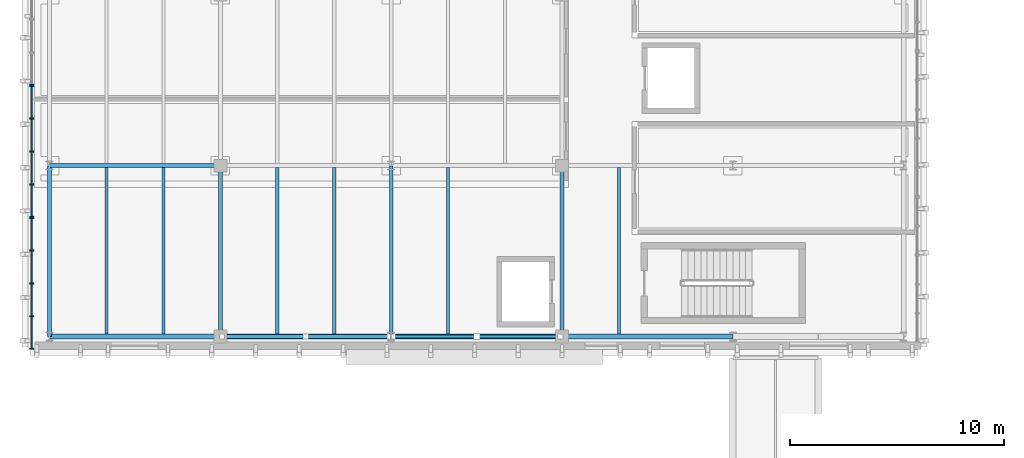
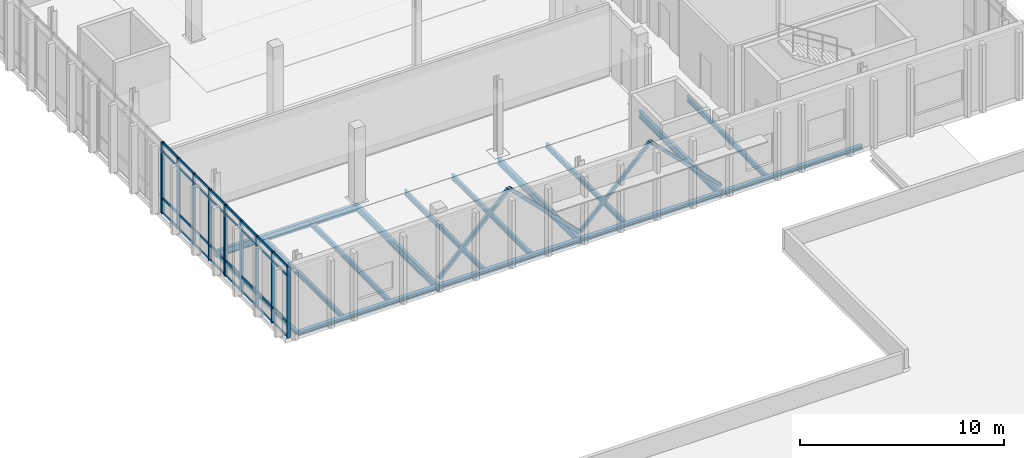
# One storey, part 16 of 86: 47 members, 15 beams, 3 elements without a shape of their own.
"""IFC4 building model written with IfcOpenShell, lengths in metres."""

from ifc_helpers import new_model, si_unit, direction, frame, origin, origin_2d, place, context, subcontext, project, spatial, rectangle, hollow_rectangle, i_section, extrude, material, material_profile, profile_set, type_object, element, aggregate, save


model = new_model("IFC4")

# Units and contexts
model_context = context("Model", 3, precision=1e-05, world=origin(), true_north=direction((0.0, 1.0)))
body_context = subcontext(model_context, "Body", "Model", "MODEL_VIEW")
ifc_project = project(units=[si_unit("LENGTHUNIT", "METRE"), si_unit("AREAUNIT", "SQUARE_METRE"), si_unit("VOLUMEUNIT", "CUBIC_METRE"), si_unit("PLANEANGLEUNIT", "RADIAN"), si_unit("MASSUNIT", "GRAM", prefix="KILO")], contexts=[model_context])

# Site, building, storey
site_placement = place(None, origin())
site = spatial("IfcSite", under=ifc_project, at=site_placement, CompositionType="ELEMENT")
building_placement = place(site_placement, origin())
building = spatial("IfcBuilding", under=site, at=building_placement, Name="Cymarion Research Institute", CompositionType="ELEMENT")
storey_placement = place(building_placement, frame((0.0, 0.0, 13.800048828125)))
storey = spatial("IfcBuildingStorey", under=building, at=storey_placement, Name="L03", CompositionType="ELEMENT", Elevation=13.800048828125)

# Curtain wall, member
ifc_material_1 = material(Name="Anodised aluminium unitised curtain wall with Low-E glazing", Category="aluminium")
curtain_wall_type = type_object("IfcCurtainWallType", Name="UNITISED CURTAIN WALL CW22 6180X4250", PredefinedType="NOTDEFINED", material=ifc_material_1)
curtain_wall_1_placement = place(storey_placement, origin())
curtain_wall_1 = element("IfcCurtainWall", 1, at=curtain_wall_1_placement, inside=storey, type_object=curtain_wall_type, Name="L03 V4 unitised curtain wall CW22 #159", PredefinedType="NOTDEFINED")
ifc_material_2 = material(Name="Anodised aluminium framing", Category="aluminium")
ifc_material_profile_1 = material_profile(ifc_material_2, rectangle(XDim=0.06005859375, YDim=0.179931640625, at=origin_2d()), Name="ALU MULLION 60x180")
ifc_profile_set_1 = profile_set([ifc_material_profile_1], Name="Anodised aluminium framing")
member_type_1 = type_object("IfcMemberType", Name="CURTAIN WALL MULLION ML01 60X180", PredefinedType="MULLION", material=ifc_profile_set_1)
member_1_placement = place(storey_placement, frame((5.77001953125, 59.28125, 0.0), z_axis=(0.0, 0.0, 1.0), x_axis=(0.0, -1.0, 0.0)))
member_1 = element("IfcMember", 2, at=member_1_placement, type_object=member_type_1, Name="CW22 mullion 5", PredefinedType="MULLION", context=body_context, shape_type="SweptSolid", body=[
    extrude(rectangle(XDim=0.06005859375, YDim=0.179931640625, at=origin_2d()), origin(), (0.0, 0.0, 1.0), 4.25),
])
aggregate(curtain_wall_1, [member_1])

# Curtain wall, members
curtain_wall_2_placement = place(storey_placement, origin())
curtain_wall_2 = element("IfcCurtainWall", 3, at=curtain_wall_2_placement, inside=storey, type_object=curtain_wall_type, Name="L03 V4 unitised curtain wall CW22 #160", PredefinedType="NOTDEFINED")
member_2_placement = place(storey_placement, frame((5.77001953125, 59.22119140625, 0.0), z_axis=(0.0, 0.0, 1.0), x_axis=(0.0, -1.0, 0.0)))
member_2 = element("IfcMember", 4, at=member_2_placement, type_object=member_type_1, Name="CW22 mullion 1", PredefinedType="MULLION", context=body_context, shape_type="SweptSolid", body=[
    extrude(rectangle(XDim=0.06005859375, YDim=0.179931640625, at=origin_2d()), origin(), (0.0, 0.0, 1.0), 4.25),
])
member_3_placement = place(storey_placement, frame((5.77001953125, 57.707275390625, 0.0), z_axis=(0.0, 0.0, 1.0), x_axis=(0.0, -1.0, 0.0)))
member_3 = element("IfcMember", 5, at=member_3_placement, type_object=member_type_1, Name="CW22 mullion 2", PredefinedType="MULLION", context=body_context, shape_type="SweptSolid", body=[
    extrude(rectangle(XDim=0.06005859375, YDim=0.179931640625, at=origin_2d()), origin(), (0.0, 0.0, 1.0), 4.25),
])
member_4_placement = place(storey_placement, frame((5.77001953125, 56.163330078125, 0.0), z_axis=(0.0, 0.0, 1.0), x_axis=(0.0, -1.0, 0.0)))
member_4 = element("IfcMember", 6, at=member_4_placement, type_object=member_type_1, Name="CW22 mullion 3", PredefinedType="MULLION", context=body_context, shape_type="SweptSolid", body=[
    extrude(rectangle(XDim=0.06005859375, YDim=0.179931640625, at=origin_2d()), origin(), (0.0, 0.0, 1.0), 4.25),
])
member_5_placement = place(storey_placement, frame((5.77001953125, 54.619384765625, 0.0), z_axis=(0.0, 0.0, 1.0), x_axis=(0.0, -1.0, 0.0)))
member_5 = element("IfcMember", 7, at=member_5_placement, type_object=member_type_1, Name="CW22 mullion 4", PredefinedType="MULLION", context=body_context, shape_type="SweptSolid", body=[
    extrude(rectangle(XDim=0.06005859375, YDim=0.179931640625, at=origin_2d()), origin(), (0.0, 0.0, 1.0), 4.25),
])
member_6_placement = place(storey_placement, frame((5.77001953125, 53.105712890625, 0.0), z_axis=(0.0, 0.0, 1.0), x_axis=(0.0, -1.0, 0.0)))
member_6 = element("IfcMember", 8, at=member_6_placement, type_object=member_type_1, Name="CW22 mullion 5", PredefinedType="MULLION", context=body_context, shape_type="SweptSolid", body=[
    extrude(rectangle(XDim=0.06005859375, YDim=0.179931640625, at=origin_2d()), origin(), (0.0, 0.0, 1.0), 4.25),
])

curtain_wall_3_placement = place(storey_placement, origin())
curtain_wall_3 = element("IfcCurtainWall", 9, at=curtain_wall_3_placement, inside=storey, type_object=curtain_wall_type, Name="L03 V4 unitised curtain wall CW22 #161", PredefinedType="NOTDEFINED")
member_7_placement = place(storey_placement, frame((5.77001953125, 53.045654296875, 0.0), z_axis=(0.0, 0.0, 1.0), x_axis=(0.0, -1.0, 0.0)))
member_7 = element("IfcMember", 10, at=member_7_placement, type_object=member_type_1, Name="CW22 mullion 1", PredefinedType="MULLION", context=body_context, shape_type="SweptSolid", body=[
    extrude(rectangle(XDim=0.06005859375, YDim=0.179931640625, at=origin_2d()), origin(), (0.0, 0.0, 1.0), 4.25),
])
member_8_placement = place(storey_placement, frame((5.77001953125, 51.53173828125, 0.0), z_axis=(0.0, 0.0, 1.0), x_axis=(0.0, -1.0, 0.0)))
member_8 = element("IfcMember", 11, at=member_8_placement, type_object=member_type_1, Name="CW22 mullion 2", PredefinedType="MULLION", context=body_context, shape_type="SweptSolid", body=[
    extrude(rectangle(XDim=0.06005859375, YDim=0.179931640625, at=origin_2d()), origin(), (0.0, 0.0, 1.0), 4.25),
])
member_9_placement = place(storey_placement, frame((5.77001953125, 49.98779296875, 0.0), z_axis=(0.0, 0.0, 1.0), x_axis=(0.0, -1.0, 0.0)))
member_9 = element("IfcMember", 12, at=member_9_placement, type_object=member_type_1, Name="CW22 mullion 3", PredefinedType="MULLION", context=body_context, shape_type="SweptSolid", body=[
    extrude(rectangle(XDim=0.06005859375, YDim=0.179931640625, at=origin_2d()), origin(), (0.0, 0.0, 1.0), 4.25),
])
member_10_placement = place(storey_placement, frame((5.77001953125, 48.44384765625, 0.0), z_axis=(0.0, 0.0, 1.0), x_axis=(0.0, -1.0, 0.0)))
member_10 = element("IfcMember", 13, at=member_10_placement, type_object=member_type_1, Name="CW22 mullion 4", PredefinedType="MULLION", context=body_context, shape_type="SweptSolid", body=[
    extrude(rectangle(XDim=0.06005859375, YDim=0.179931640625, at=origin_2d()), origin(), (0.0, 0.0, 1.0), 4.25),
])
member_11_placement = place(storey_placement, frame((5.77001953125, 46.929931640625, 0.0), z_axis=(0.0, 0.0, 1.0), x_axis=(0.0, -1.0, 0.0)))
member_11 = element("IfcMember", 14, at=member_11_placement, type_object=member_type_1, Name="CW22 mullion 5", PredefinedType="MULLION", context=body_context, shape_type="SweptSolid", body=[
    extrude(rectangle(XDim=0.06005859375, YDim=0.179931640625, at=origin_2d()), origin(), (0.0, 0.0, 1.0), 4.25),
])

# Member
ifc_material_profile_2 = material_profile(ifc_material_2, rectangle(XDim=0.06005859375, YDim=0.14990234375, at=origin_2d()), Name="ALU TRANSOM 60x150")
ifc_profile_set_2 = profile_set([ifc_material_profile_2], Name="Anodised aluminium framing")
member_type_2 = type_object("IfcMemberType", Name="CURTAIN WALL TRANSOM TR01 60X150", PredefinedType="USERDEFINED", material=ifc_profile_set_2)
member_12_placement = place(storey_placement, frame((5.77001953125, 59.191162109375, 0.030029296875), z_axis=(0.0, -1.0, 0.0), x_axis=(1.0, 0.0, 0.0)))
member_12 = element("IfcMember", 15, at=member_12_placement, type_object=member_type_2, Name="CW22 transom 1.1", ObjectType="TRANSOM", PredefinedType="USERDEFINED", context=body_context, shape_type="SweptSolid", body=[
    extrude(rectangle(XDim=0.06005859375, YDim=0.14990234375, at=origin_2d()), origin(), (0.0, 0.0, 1.0), 1.453857421875),
])

member_13_placement = place(storey_placement, frame((5.77001953125, 59.191162109375, 0.89990234375), z_axis=(0.0, -1.0, 0.0), x_axis=(1.0, 0.0, 0.0)))
member_13 = element("IfcMember", 16, at=member_13_placement, type_object=member_type_2, Name="CW22 transom 1.2", ObjectType="TRANSOM", PredefinedType="USERDEFINED", context=body_context, shape_type="SweptSolid", body=[
    extrude(rectangle(XDim=0.06005859375, YDim=0.14990234375, at=origin_2d()), origin(), (0.0, 0.0, 1.0), 1.453857421875),
])

member_14_placement = place(storey_placement, frame((5.77001953125, 59.191162109375, 3.699951171875), z_axis=(0.0, -1.0, 0.0), x_axis=(1.0, 0.0, 0.0)))
member_14 = element("IfcMember", 17, at=member_14_placement, type_object=member_type_2, Name="CW22 transom 1.3", ObjectType="TRANSOM", PredefinedType="USERDEFINED", context=body_context, shape_type="SweptSolid", body=[
    extrude(rectangle(XDim=0.06005859375, YDim=0.14990234375, at=origin_2d()), origin(), (0.0, 0.0, 1.0), 1.453857421875),
])

member_15_placement = place(storey_placement, frame((5.77001953125, 59.191162109375, 4.219970703125), z_axis=(0.0, -1.0, 0.0), x_axis=(1.0, 0.0, 0.0)))
member_15 = element("IfcMember", 18, at=member_15_placement, type_object=member_type_2, Name="CW22 transom 1.4", ObjectType="TRANSOM", PredefinedType="USERDEFINED", context=body_context, shape_type="SweptSolid", body=[
    extrude(rectangle(XDim=0.06005859375, YDim=0.14990234375, at=origin_2d()), origin(), (0.0, 0.0, 1.0), 1.453857421875),
])

member_16_placement = place(storey_placement, frame((5.77001953125, 57.67724609375, 0.030029296875), z_axis=(0.0, -1.0, 0.0), x_axis=(1.0, 0.0, 0.0)))
member_16 = element("IfcMember", 19, at=member_16_placement, type_object=member_type_2, Name="CW22 transom 2.1", ObjectType="TRANSOM", PredefinedType="USERDEFINED", context=body_context, shape_type="SweptSolid", body=[
    extrude(rectangle(XDim=0.06005859375, YDim=0.14990234375, at=origin_2d()), origin(), (0.0, 0.0, 1.0), 1.48388671875),
])

member_17_placement = place(storey_placement, frame((5.77001953125, 57.67724609375, 0.89990234375), z_axis=(0.0, -1.0, 0.0), x_axis=(1.0, 0.0, 0.0)))
member_17 = element("IfcMember", 20, at=member_17_placement, type_object=member_type_2, Name="CW22 transom 2.2", ObjectType="TRANSOM", PredefinedType="USERDEFINED", context=body_context, shape_type="SweptSolid", body=[
    extrude(rectangle(XDim=0.06005859375, YDim=0.14990234375, at=origin_2d()), origin(), (0.0, 0.0, 1.0), 1.48388671875),
])

member_18_placement = place(storey_placement, frame((5.77001953125, 57.67724609375, 3.699951171875), z_axis=(0.0, -1.0, 0.0), x_axis=(1.0, 0.0, 0.0)))
member_18 = element("IfcMember", 21, at=member_18_placement, type_object=member_type_2, Name="CW22 transom 2.3", ObjectType="TRANSOM", PredefinedType="USERDEFINED", context=body_context, shape_type="SweptSolid", body=[
    extrude(rectangle(XDim=0.06005859375, YDim=0.14990234375, at=origin_2d()), origin(), (0.0, 0.0, 1.0), 1.48388671875),
])

member_19_placement = place(storey_placement, frame((5.77001953125, 57.67724609375, 4.219970703125), z_axis=(0.0, -1.0, 0.0), x_axis=(1.0, 0.0, 0.0)))
member_19 = element("IfcMember", 22, at=member_19_placement, type_object=member_type_2, Name="CW22 transom 2.4", ObjectType="TRANSOM", PredefinedType="USERDEFINED", context=body_context, shape_type="SweptSolid", body=[
    extrude(rectangle(XDim=0.06005859375, YDim=0.14990234375, at=origin_2d()), origin(), (0.0, 0.0, 1.0), 1.48388671875),
])

member_20_placement = place(storey_placement, frame((5.77001953125, 56.13330078125, 0.030029296875), z_axis=(0.0, -1.0, 0.0), x_axis=(1.0, 0.0, 0.0)))
member_20 = element("IfcMember", 23, at=member_20_placement, type_object=member_type_2, Name="CW22 transom 3.1", ObjectType="TRANSOM", PredefinedType="USERDEFINED", context=body_context, shape_type="SweptSolid", body=[
    extrude(rectangle(XDim=0.06005859375, YDim=0.14990234375, at=origin_2d()), origin(), (0.0, 0.0, 1.0), 1.48388671875),
])

member_21_placement = place(storey_placement, frame((5.77001953125, 56.13330078125, 0.89990234375), z_axis=(0.0, -1.0, 0.0), x_axis=(1.0, 0.0, 0.0)))
member_21 = element("IfcMember", 24, at=member_21_placement, type_object=member_type_2, Name="CW22 transom 3.2", ObjectType="TRANSOM", PredefinedType="USERDEFINED", context=body_context, shape_type="SweptSolid", body=[
    extrude(rectangle(XDim=0.06005859375, YDim=0.14990234375, at=origin_2d()), origin(), (0.0, 0.0, 1.0), 1.48388671875),
])

member_22_placement = place(storey_placement, frame((5.77001953125, 56.13330078125, 3.699951171875), z_axis=(0.0, -1.0, 0.0), x_axis=(1.0, 0.0, 0.0)))
member_22 = element("IfcMember", 25, at=member_22_placement, type_object=member_type_2, Name="CW22 transom 3.3", ObjectType="TRANSOM", PredefinedType="USERDEFINED", context=body_context, shape_type="SweptSolid", body=[
    extrude(rectangle(XDim=0.06005859375, YDim=0.14990234375, at=origin_2d()), origin(), (0.0, 0.0, 1.0), 1.48388671875),
])

member_23_placement = place(storey_placement, frame((5.77001953125, 56.13330078125, 4.219970703125), z_axis=(0.0, -1.0, 0.0), x_axis=(1.0, 0.0, 0.0)))
member_23 = element("IfcMember", 26, at=member_23_placement, type_object=member_type_2, Name="CW22 transom 3.4", ObjectType="TRANSOM", PredefinedType="USERDEFINED", context=body_context, shape_type="SweptSolid", body=[
    extrude(rectangle(XDim=0.06005859375, YDim=0.14990234375, at=origin_2d()), origin(), (0.0, 0.0, 1.0), 1.48388671875),
])

member_24_placement = place(storey_placement, frame((5.77001953125, 54.589599609375, 0.030029296875), z_axis=(0.0, -1.0, 0.0), x_axis=(1.0, 0.0, 0.0)))
member_24 = element("IfcMember", 27, at=member_24_placement, type_object=member_type_2, Name="CW22 transom 4.1", ObjectType="TRANSOM", PredefinedType="USERDEFINED", context=body_context, shape_type="SweptSolid", body=[
    extrude(rectangle(XDim=0.06005859375, YDim=0.14990234375, at=origin_2d()), origin(), (0.0, 0.0, 1.0), 1.4541015625),
])

member_25_placement = place(storey_placement, frame((5.77001953125, 54.589599609375, 0.89990234375), z_axis=(0.0, -1.0, 0.0), x_axis=(1.0, 0.0, 0.0)))
member_25 = element("IfcMember", 28, at=member_25_placement, type_object=member_type_2, Name="CW22 transom 4.2", ObjectType="TRANSOM", PredefinedType="USERDEFINED", context=body_context, shape_type="SweptSolid", body=[
    extrude(rectangle(XDim=0.06005859375, YDim=0.14990234375, at=origin_2d()), origin(), (0.0, 0.0, 1.0), 1.4541015625),
])

member_26_placement = place(storey_placement, frame((5.77001953125, 54.589599609375, 3.699951171875), z_axis=(0.0, -1.0, 0.0), x_axis=(1.0, 0.0, 0.0)))
member_26 = element("IfcMember", 29, at=member_26_placement, type_object=member_type_2, Name="CW22 transom 4.3", ObjectType="TRANSOM", PredefinedType="USERDEFINED", context=body_context, shape_type="SweptSolid", body=[
    extrude(rectangle(XDim=0.06005859375, YDim=0.14990234375, at=origin_2d()), origin(), (0.0, 0.0, 1.0), 1.4541015625),
])

member_27_placement = place(storey_placement, frame((5.77001953125, 54.589599609375, 4.219970703125), z_axis=(0.0, -1.0, 0.0), x_axis=(1.0, 0.0, 0.0)))
member_27 = element("IfcMember", 30, at=member_27_placement, type_object=member_type_2, Name="CW22 transom 4.4", ObjectType="TRANSOM", PredefinedType="USERDEFINED", context=body_context, shape_type="SweptSolid", body=[
    extrude(rectangle(XDim=0.06005859375, YDim=0.14990234375, at=origin_2d()), origin(), (0.0, 0.0, 1.0), 1.4541015625),
])

aggregate(curtain_wall_2, [member_2, member_3, member_4, member_5, member_6, member_12, member_13, member_14, member_15, member_16, member_17, member_18, member_19, member_20, member_21, member_22, member_23, member_24, member_25, member_26, member_27])

member_28_placement = place(storey_placement, frame((5.77001953125, 53.015625, 0.030029296875), z_axis=(0.0, -1.0, 0.0), x_axis=(1.0, 0.0, 0.0)))
member_28 = element("IfcMember", 31, at=member_28_placement, type_object=member_type_2, Name="CW22 transom 1.1", ObjectType="TRANSOM", PredefinedType="USERDEFINED", context=body_context, shape_type="SweptSolid", body=[
    extrude(rectangle(XDim=0.06005859375, YDim=0.14990234375, at=origin_2d()), origin(), (0.0, 0.0, 1.0), 1.453857421875),
])

member_29_placement = place(storey_placement, frame((5.77001953125, 53.015625, 0.89990234375), z_axis=(0.0, -1.0, 0.0), x_axis=(1.0, 0.0, 0.0)))
member_29 = element("IfcMember", 32, at=member_29_placement, type_object=member_type_2, Name="CW22 transom 1.2", ObjectType="TRANSOM", PredefinedType="USERDEFINED", context=body_context, shape_type="SweptSolid", body=[
    extrude(rectangle(XDim=0.06005859375, YDim=0.14990234375, at=origin_2d()), origin(), (0.0, 0.0, 1.0), 1.453857421875),
])

member_30_placement = place(storey_placement, frame((5.77001953125, 53.015625, 3.699951171875), z_axis=(0.0, -1.0, 0.0), x_axis=(1.0, 0.0, 0.0)))
member_30 = element("IfcMember", 33, at=member_30_placement, type_object=member_type_2, Name="CW22 transom 1.3", ObjectType="TRANSOM", PredefinedType="USERDEFINED", context=body_context, shape_type="SweptSolid", body=[
    extrude(rectangle(XDim=0.06005859375, YDim=0.14990234375, at=origin_2d()), origin(), (0.0, 0.0, 1.0), 1.453857421875),
])

member_31_placement = place(storey_placement, frame((5.77001953125, 53.015625, 4.219970703125), z_axis=(0.0, -1.0, 0.0), x_axis=(1.0, 0.0, 0.0)))
member_31 = element("IfcMember", 34, at=member_31_placement, type_object=member_type_2, Name="CW22 transom 1.4", ObjectType="TRANSOM", PredefinedType="USERDEFINED", context=body_context, shape_type="SweptSolid", body=[
    extrude(rectangle(XDim=0.06005859375, YDim=0.14990234375, at=origin_2d()), origin(), (0.0, 0.0, 1.0), 1.453857421875),
])

member_32_placement = place(storey_placement, frame((5.77001953125, 51.501708984375, 0.030029296875), z_axis=(0.0, -1.0, 0.0), x_axis=(1.0, 0.0, 0.0)))
member_32 = element("IfcMember", 35, at=member_32_placement, type_object=member_type_2, Name="CW22 transom 2.1", ObjectType="TRANSOM", PredefinedType="USERDEFINED", context=body_context, shape_type="SweptSolid", body=[
    extrude(rectangle(XDim=0.06005859375, YDim=0.14990234375, at=origin_2d()), origin(), (0.0, 0.0, 1.0), 1.48388671875),
])

member_33_placement = place(storey_placement, frame((5.77001953125, 51.501708984375, 0.89990234375), z_axis=(0.0, -1.0, 0.0), x_axis=(1.0, 0.0, 0.0)))
member_33 = element("IfcMember", 36, at=member_33_placement, type_object=member_type_2, Name="CW22 transom 2.2", ObjectType="TRANSOM", PredefinedType="USERDEFINED", context=body_context, shape_type="SweptSolid", body=[
    extrude(rectangle(XDim=0.06005859375, YDim=0.14990234375, at=origin_2d()), origin(), (0.0, 0.0, 1.0), 1.48388671875),
])

member_34_placement = place(storey_placement, frame((5.77001953125, 51.501708984375, 3.699951171875), z_axis=(0.0, -1.0, 0.0), x_axis=(1.0, 0.0, 0.0)))
member_34 = element("IfcMember", 37, at=member_34_placement, type_object=member_type_2, Name="CW22 transom 2.3", ObjectType="TRANSOM", PredefinedType="USERDEFINED", context=body_context, shape_type="SweptSolid", body=[
    extrude(rectangle(XDim=0.06005859375, YDim=0.14990234375, at=origin_2d()), origin(), (0.0, 0.0, 1.0), 1.48388671875),
])

member_35_placement = place(storey_placement, frame((5.77001953125, 51.501708984375, 4.219970703125), z_axis=(0.0, -1.0, 0.0), x_axis=(1.0, 0.0, 0.0)))
member_35 = element("IfcMember", 38, at=member_35_placement, type_object=member_type_2, Name="CW22 transom 2.4", ObjectType="TRANSOM", PredefinedType="USERDEFINED", context=body_context, shape_type="SweptSolid", body=[
    extrude(rectangle(XDim=0.06005859375, YDim=0.14990234375, at=origin_2d()), origin(), (0.0, 0.0, 1.0), 1.48388671875),
])

member_36_placement = place(storey_placement, frame((5.77001953125, 49.957763671875, 0.030029296875), z_axis=(0.0, -1.0, 0.0), x_axis=(1.0, 0.0, 0.0)))
member_36 = element("IfcMember", 39, at=member_36_placement, type_object=member_type_2, Name="CW22 transom 3.1", ObjectType="TRANSOM", PredefinedType="USERDEFINED", context=body_context, shape_type="SweptSolid", body=[
    extrude(rectangle(XDim=0.06005859375, YDim=0.14990234375, at=origin_2d()), origin(), (0.0, 0.0, 1.0), 1.48388671875),
])

member_37_placement = place(storey_placement, frame((5.77001953125, 49.957763671875, 0.89990234375), z_axis=(0.0, -1.0, 0.0), x_axis=(1.0, 0.0, 0.0)))
member_37 = element("IfcMember", 40, at=member_37_placement, type_object=member_type_2, Name="CW22 transom 3.2", ObjectType="TRANSOM", PredefinedType="USERDEFINED", context=body_context, shape_type="SweptSolid", body=[
    extrude(rectangle(XDim=0.06005859375, YDim=0.14990234375, at=origin_2d()), origin(), (0.0, 0.0, 1.0), 1.48388671875),
])

member_38_placement = place(storey_placement, frame((5.77001953125, 49.957763671875, 3.699951171875), z_axis=(0.0, -1.0, 0.0), x_axis=(1.0, 0.0, 0.0)))
member_38 = element("IfcMember", 41, at=member_38_placement, type_object=member_type_2, Name="CW22 transom 3.3", ObjectType="TRANSOM", PredefinedType="USERDEFINED", context=body_context, shape_type="SweptSolid", body=[
    extrude(rectangle(XDim=0.06005859375, YDim=0.14990234375, at=origin_2d()), origin(), (0.0, 0.0, 1.0), 1.48388671875),
])

member_39_placement = place(storey_placement, frame((5.77001953125, 49.957763671875, 4.219970703125), z_axis=(0.0, -1.0, 0.0), x_axis=(1.0, 0.0, 0.0)))
member_39 = element("IfcMember", 42, at=member_39_placement, type_object=member_type_2, Name="CW22 transom 3.4", ObjectType="TRANSOM", PredefinedType="USERDEFINED", context=body_context, shape_type="SweptSolid", body=[
    extrude(rectangle(XDim=0.06005859375, YDim=0.14990234375, at=origin_2d()), origin(), (0.0, 0.0, 1.0), 1.48388671875),
])

member_40_placement = place(storey_placement, frame((5.77001953125, 48.413818359375, 0.030029296875), z_axis=(0.0, -1.0, 0.0), x_axis=(1.0, 0.0, 0.0)))
member_40 = element("IfcMember", 43, at=member_40_placement, type_object=member_type_2, Name="CW22 transom 4.1", ObjectType="TRANSOM", PredefinedType="USERDEFINED", context=body_context, shape_type="SweptSolid", body=[
    extrude(rectangle(XDim=0.06005859375, YDim=0.14990234375, at=origin_2d()), origin(), (0.0, 0.0, 1.0), 1.453857421875),
])

member_41_placement = place(storey_placement, frame((5.77001953125, 48.413818359375, 0.89990234375), z_axis=(0.0, -1.0, 0.0), x_axis=(1.0, 0.0, 0.0)))
member_41 = element("IfcMember", 44, at=member_41_placement, type_object=member_type_2, Name="CW22 transom 4.2", ObjectType="TRANSOM", PredefinedType="USERDEFINED", context=body_context, shape_type="SweptSolid", body=[
    extrude(rectangle(XDim=0.06005859375, YDim=0.14990234375, at=origin_2d()), origin(), (0.0, 0.0, 1.0), 1.453857421875),
])

member_42_placement = place(storey_placement, frame((5.77001953125, 48.413818359375, 3.699951171875), z_axis=(0.0, -1.0, 0.0), x_axis=(1.0, 0.0, 0.0)))
member_42 = element("IfcMember", 45, at=member_42_placement, type_object=member_type_2, Name="CW22 transom 4.3", ObjectType="TRANSOM", PredefinedType="USERDEFINED", context=body_context, shape_type="SweptSolid", body=[
    extrude(rectangle(XDim=0.06005859375, YDim=0.14990234375, at=origin_2d()), origin(), (0.0, 0.0, 1.0), 1.453857421875),
])

member_43_placement = place(storey_placement, frame((5.77001953125, 48.413818359375, 4.219970703125), z_axis=(0.0, -1.0, 0.0), x_axis=(1.0, 0.0, 0.0)))
member_43 = element("IfcMember", 46, at=member_43_placement, type_object=member_type_2, Name="CW22 transom 4.4", ObjectType="TRANSOM", PredefinedType="USERDEFINED", context=body_context, shape_type="SweptSolid", body=[
    extrude(rectangle(XDim=0.06005859375, YDim=0.14990234375, at=origin_2d()), origin(), (0.0, 0.0, 1.0), 1.453857421875),
])

aggregate(curtain_wall_3, [member_7, member_8, member_9, member_10, member_11, member_28, member_29, member_30, member_31, member_32, member_33, member_34, member_35, member_36, member_37, member_38, member_39, member_40, member_41, member_42, member_43])

# Beams
ifc_material_3 = material(Name="Steel S355", Category="steel")
ifc_material_profile_3 = material_profile(ifc_material_3, i_section(OverallWidth=0.179931640625, OverallDepth=0.39990234375, WebThickness=0.008544921875, FlangeThickness=0.013427734375, FilletRadius=0.02099609375, at=origin_2d()), Name="IPE 400")
ifc_profile_set_3 = profile_set([ifc_material_profile_3], Name="Steel S355")
beam_type_1 = type_object("IfcBeamType", Name="PRIMARY GIRDER BM05 IPE 400", PredefinedType="BEAM", material=ifc_profile_set_3)
beam_1_placement = place(storey_placement, frame((6.60595703125, 55.5, -0.449951171875), z_axis=(1.0, 0.0, 0.0), x_axis=(0.0, 1.0, 0.0)))
element("IfcBeam", 47, at=beam_1_placement, inside=storey, type_object=beam_type_1, Name="L03 V4 girder BM05 #1458", PredefinedType="BEAM", context=body_context, shape_type="SweptSolid", body=[
    extrude(i_section(OverallWidth=0.179931640625, OverallDepth=0.39990234375, WebThickness=0.008544921875, FlangeThickness=0.013427734375, FilletRadius=0.02099609375, at=origin_2d()), origin(), (0.0, 0.0, 1.0), 7.988037109375),
])
for number, where, z_axis, x_axis, name in (
    (48, (14.60009765625, 47.506103515625, -0.449951171875), (0.0, 1.0, 0.0), (-1.0, 0.0, 0.0), "L03 V4 girder BM05 #1482"),
    (49, (22.60009765625, 47.506103515625, -0.449951171875), (0.0, 1.0, 0.0), (-1.0, 0.0, 0.0), "L03 V4 girder BM05 #1486"),
    (50, (30.60009765625, 47.506103515625, -0.449951171875), (0.0, 1.0, 0.0), (-1.0, 0.0, 0.0), "L03 V4 girder BM05 #1490"),
):
    element("IfcBeam", number, at=place(storey_placement, frame(where, z_axis=z_axis, x_axis=x_axis)), inside=storey, type_object=beam_type_1, Name=name, PredefinedType="BEAM", context=body_context, shape_type="SweptSolid", body=[
        extrude(i_section(OverallWidth=0.179931640625, OverallDepth=0.39990234375, WebThickness=0.008544921875, FlangeThickness=0.013427734375, FilletRadius=0.02099609375, at=origin_2d()), origin(), (0.0, 0.0, 1.0), 7.98779296875),
    ])
ifc_material_profile_4 = material_profile(ifc_material_3, i_section(OverallWidth=0.14990234375, OverallDepth=0.300048828125, WebThickness=0.007080078125, FlangeThickness=0.0107421875, FilletRadius=0.014892578125, at=origin_2d()), Name="IPE 300")
ifc_profile_set_4 = profile_set([ifc_material_profile_4], Name="Steel S355")
beam_type_2 = type_object("IfcBeamType", Name="SECONDARY JOIST JS02 IPE 300", PredefinedType="JOIST", material=ifc_profile_set_4)
for number, where, z_axis, x_axis, name in (
    (51, (9.2666015625, 47.6240234375, -0.400146484375), (0.0, 1.0, 0.0), (-1.0, 0.0, 0.0), "L03 V4 secondary joist JS02 #1500"),
    (52, (11.933349609375, 47.6240234375, -0.400146484375), (0.0, 1.0, 0.0), (-1.0, 0.0, 0.0), "L03 V4 secondary joist JS02 #1501"),
    (53, (17.2666015625, 47.6240234375, -0.400146484375), (0.0, 1.0, 0.0), (-1.0, 0.0, 0.0), "L03 V4 secondary joist JS02 #1502"),
    (54, (19.933349609375, 47.6240234375, -0.400146484375), (0.0, 1.0, 0.0), (-1.0, 0.0, 0.0), "L03 V4 secondary joist JS02 #1503"),
    (55, (25.2666015625, 47.6240234375, -0.400146484375), (0.0, 1.0, 0.0), (-1.0, 0.0, 0.0), "L03 V4 secondary joist JS02 #1504"),
    (56, (33.2666015625, 47.6240234375, -0.400146484375), (0.0, 1.0, 0.0), (-1.0, 0.0, 0.0), "L03 V4 secondary joist JS02 #1505"),
):
    element("IfcBeam", number, at=place(storey_placement, frame(where, z_axis=z_axis, x_axis=x_axis)), inside=storey, type_object=beam_type_2, Name=name, PredefinedType="JOIST", context=body_context, shape_type="SweptSolid", body=[
        extrude(i_section(OverallWidth=0.14990234375, OverallDepth=0.300048828125, WebThickness=0.007080078125, FlangeThickness=0.0107421875, FilletRadius=0.014892578125, at=origin_2d()), origin(), (0.0, 0.0, 1.0), 7.781982421875),
    ])
ifc_material_profile_5 = material_profile(ifc_material_3, i_section(OverallWidth=0.239990234375, OverallDepth=0.22998046875, WebThickness=0.007568359375, FlangeThickness=0.011962890625, FilletRadius=0.02099609375, at=origin_2d()), Name="HEA 240")
ifc_profile_set_5 = profile_set([ifc_material_profile_5], Name="Steel S355")
beam_type_3 = type_object("IfcBeamType", Name="SPANDREL BEAM SPB03 HEA 240", PredefinedType="SPANDREL", material=ifc_profile_set_5)
for number, where, z_axis, x_axis, name in (
    (57, (6.60595703125, 47.5, -0.364990234375), (1.0, 0.0, 0.0), (0.0, 1.0, 0.0), "L03 V4 girder SPB03 #1452"),
    (58, (14.60595703125, 47.5, -0.364990234375), (1.0, 0.0, 0.0), (0.0, 1.0, 0.0), "L03 V4 girder SPB03 #1453"),
    (59, (22.60595703125, 47.5, -0.364990234375), (1.0, 0.0, 0.0), (0.0, 1.0, 0.0), "L03 V4 girder SPB03 #1454"),
    (60, (30.60595703125, 47.5, -0.364990234375), (1.0, 0.0, 0.0), (0.0, 1.0, 0.0), "L03 V4 girder SPB03 #1455"),
):
    element("IfcBeam", number, at=place(storey_placement, frame(where, z_axis=z_axis, x_axis=x_axis)), inside=storey, type_object=beam_type_3, Name=name, PredefinedType="SPANDREL", context=body_context, shape_type="SweptSolid", body=[
        extrude(i_section(OverallWidth=0.239990234375, OverallDepth=0.22998046875, WebThickness=0.007568359375, FlangeThickness=0.011962890625, FilletRadius=0.02099609375, at=origin_2d()), origin(), (0.0, 0.0, 1.0), 7.988037109375),
    ])
ifc_material_profile_6 = material_profile(ifc_material_3, i_section(OverallWidth=0.199951171875, OverallDepth=0.18994140625, WebThickness=0.006591796875, FlangeThickness=0.010009765625, FilletRadius=0.01806640625, at=origin_2d()), Name="HEA 200")
ifc_profile_set_6 = profile_set([ifc_material_profile_6], Name="Steel S355")
beam_type_4 = type_object("IfcBeamType", Name="SPANDREL BEAM SPB04 HEA 200", PredefinedType="SPANDREL", material=ifc_profile_set_6)
beam_2_placement = place(storey_placement, frame((6.60009765625, 47.506103515625, -0.344970703125), z_axis=(0.0, 1.0, 0.0), x_axis=(-1.0, 0.0, 0.0)))
element("IfcBeam", 61, at=beam_2_placement, inside=storey, type_object=beam_type_4, Name="L03 V4 girder SPB04 #1478", PredefinedType="SPANDREL", context=body_context, shape_type="SweptSolid", body=[
    extrude(i_section(OverallWidth=0.199951171875, OverallDepth=0.18994140625, WebThickness=0.006591796875, FlangeThickness=0.010009765625, FilletRadius=0.01806640625, at=origin_2d()), origin(), (0.0, 0.0, 1.0), 7.98779296875),
])

# Members
ifc_material_profile_7 = material_profile(ifc_material_3, hollow_rectangle(XDim=0.199951171875, YDim=0.199951171875, WallThickness=0.010009765625, InnerFilletRadius=0.014892578125, OuterFilletRadius=0.02490234375, at=origin_2d()), Name="SHS 200x200x10")
ifc_profile_set_7 = profile_set([ifc_material_profile_7], Name="Steel S355")
member_type_3 = type_object("IfcMemberType", Name="STRUCTURAL MEMBER BR07 SHS 200x200x10", PredefinedType="BRACE", material=ifc_profile_set_7)
member_44_placement = place(storey_placement, frame((14.6142578125, 47.5, 0.119873046875), z_axis=(0.70610954467, 0.0, 0.708102613275), x_axis=(0.0, 1.0, 0.0)))
element("IfcMember", 62, at=member_44_placement, inside=storey, type_object=member_type_3, Name="L03 V4 seismic chevron brace BR07 #1", PredefinedType="BRACE", context=body_context, shape_type="SweptSolid", body=[
    extrude(hollow_rectangle(XDim=0.199951171875, YDim=0.199951171875, WallThickness=0.010009765625, InnerFilletRadius=0.014892578125, OuterFilletRadius=0.02490234375, at=origin_2d()), origin(), (0.0, 0.0, 1.0), 5.634765625),
])
member_45_placement = place(storey_placement, frame((22.585693359375, 47.5, 0.119873046875), z_axis=(-0.706087818821, 0.0, 0.708124277307), x_axis=(0.0, -1.0, 0.0)))
element("IfcMember", 63, at=member_45_placement, inside=storey, type_object=member_type_3, Name="L03 V4 seismic chevron brace BR07 #2", PredefinedType="BRACE", context=body_context, shape_type="SweptSolid", body=[
    extrude(hollow_rectangle(XDim=0.199951171875, YDim=0.199951171875, WallThickness=0.010009765625, InnerFilletRadius=0.014892578125, OuterFilletRadius=0.02490234375, at=origin_2d()), origin(), (0.0, 0.0, 1.0), 5.634521484375),
])
ifc_material_profile_8 = material_profile(ifc_material_3, hollow_rectangle(XDim=0.179931640625, YDim=0.179931640625, WallThickness=0.010009765625, InnerFilletRadius=0.014892578125, OuterFilletRadius=0.02490234375, at=origin_2d()), Name="SHS 180x180x10")
ifc_profile_set_8 = profile_set([ifc_material_profile_8], Name="Steel S355")
member_type_4 = type_object("IfcMemberType", Name="STRUCTURAL MEMBER BR08 SHS 180x180x10", PredefinedType="BRACE", material=ifc_profile_set_8)
member_46_placement = place(storey_placement, frame((22.6142578125, 47.5, 0.119873046875), z_axis=(0.70610954467, 0.0, 0.708102613275), x_axis=(0.0, 1.0, 0.0)))
element("IfcMember", 64, at=member_46_placement, inside=storey, type_object=member_type_4, Name="L03 V4 seismic chevron brace BR08 #1", PredefinedType="BRACE", context=body_context, shape_type="SweptSolid", body=[
    extrude(hollow_rectangle(XDim=0.179931640625, YDim=0.179931640625, WallThickness=0.010009765625, InnerFilletRadius=0.014892578125, OuterFilletRadius=0.02490234375, at=origin_2d()), origin(), (0.0, 0.0, 1.0), 5.634765625),
])
member_47_placement = place(storey_placement, frame((30.585693359375, 47.5, 0.119873046875), z_axis=(-0.706087818821, 0.0, 0.708124277307), x_axis=(0.0, -1.0, 0.0)))
element("IfcMember", 65, at=member_47_placement, inside=storey, type_object=member_type_4, Name="L03 V4 seismic chevron brace BR08 #2", PredefinedType="BRACE", context=body_context, shape_type="SweptSolid", body=[
    extrude(hollow_rectangle(XDim=0.179931640625, YDim=0.179931640625, WallThickness=0.010009765625, InnerFilletRadius=0.014892578125, OuterFilletRadius=0.02490234375, at=origin_2d()), origin(), (0.0, 0.0, 1.0), 5.634521484375),
])

save(model, "model.ifc")
